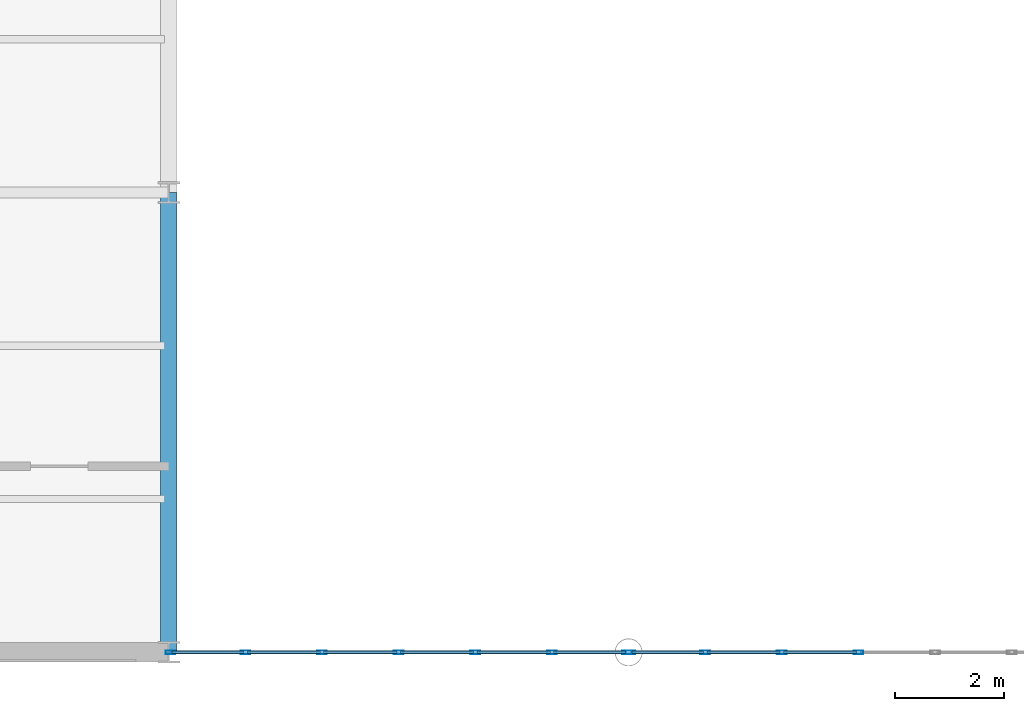
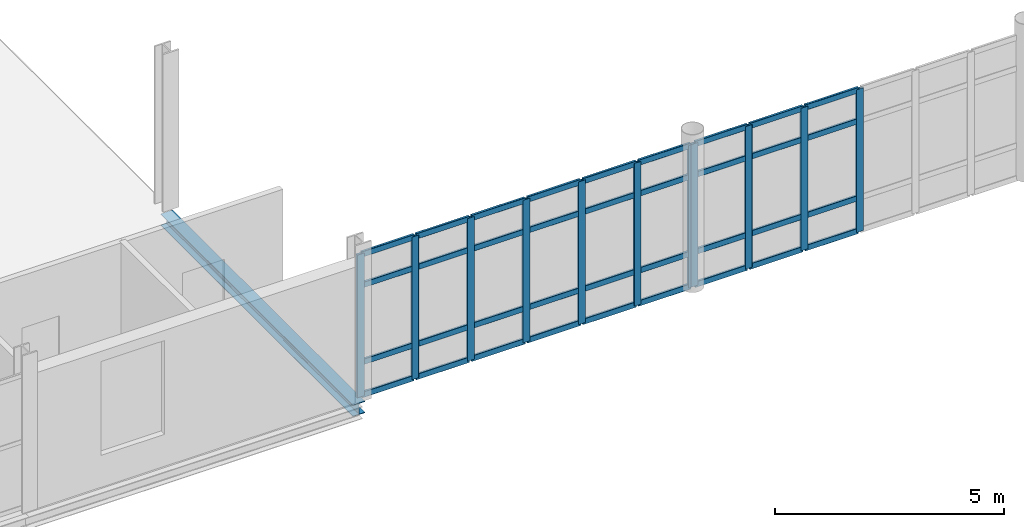
# One storey, part 36 of 163: 47 members, 1 beam, 2 elements without a shape of their own.
"""IFC4 building model written with IfcOpenShell, lengths in metres."""

from ifc_helpers import new_model, si_unit, direction, frame, origin, origin_2d, place, context, subcontext, project, spatial, hollow_rectangle, i_section, extrude, material, layer, layer_set, material_profile, profile_set, type_object, element, aggregate, save


model = new_model("IFC4")

# Units and contexts
model_context = context("Model", 3, precision=1e-05, world=origin(), true_north=direction((0.0, 1.0)))
body_context = subcontext(model_context, "Body", "Model", "MODEL_VIEW")
ifc_project = project(units=[si_unit("LENGTHUNIT", "METRE"), si_unit("AREAUNIT", "SQUARE_METRE"), si_unit("VOLUMEUNIT", "CUBIC_METRE"), si_unit("PLANEANGLEUNIT", "RADIAN"), si_unit("MASSUNIT", "GRAM", prefix="KILO")], contexts=[model_context])

# Site, building, storey
site_placement = place(None, origin())
site = spatial("IfcSite", under=ifc_project, at=site_placement, CompositionType="ELEMENT")
building_placement = place(site_placement, origin())
building = spatial("IfcBuilding", under=site, at=building_placement, Name="Qalvenar Corner Mobility Hub", CompositionType="ELEMENT")
storey_placement = place(building_placement, frame((0.0, 0.0, 4.800048828125)))
storey = spatial("IfcBuildingStorey", under=building, at=storey_placement, Name="L01", CompositionType="ELEMENT", Elevation=4.800048828125)

# Beam
ifc_material_1 = material(Name="Steel S355", Category="steel")
ifc_material_profile_1 = material_profile(ifc_material_1, i_section(OverallWidth=0.300048828125, OverallDepth=0.31005859375, WebThickness=0.009033203125, FlangeThickness=0.015380859375, FilletRadius=0.027099609375, at=origin_2d()), Name="HEA320")
ifc_profile_set_1 = profile_set([ifc_material_profile_1], Name="Steel S355")
beam_type = type_object("IfcBeamType", Name="BM-SPN320", PredefinedType="SPANDREL", material=ifc_profile_set_1)
beam_placement = place(storey_placement, frame((50.39990234375, 0.0, -0.3349609375), z_axis=(0.0, 1.0, 0.0), x_axis=(-1.0, 0.0, 0.0)))
element("IfcBeam", 1, at=beam_placement, inside=storey, type_object=beam_type, Name="Primary Steel Girder GY-0881", PredefinedType="SPANDREL", context=body_context, shape_type="SweptSolid", body=[
    extrude(i_section(OverallWidth=0.300048828125, OverallDepth=0.31005859375, WebThickness=0.009033203125, FlangeThickness=0.015380859375, FilletRadius=0.027099609375, at=origin_2d()), origin(), (0.0, 0.0, 1.0), 8.39990234375),
])

# Curtain wall, members
ifc_material_2 = material(Name="Anodised Aluminium and Low-E Glazing", Category="aluminium")
ifc_layer = layer(ifc_material_2, 0.179931640625)
ifc_layer_set = layer_set([ifc_layer], Name="Anodised Aluminium and Low-E Glazing")
curtain_wall_type = type_object("IfcCurtainWallType", Name="CW-CONC-84X42", PredefinedType="NOTDEFINED", material=ifc_layer_set)
curtain_wall_1_placement = place(storey_placement, origin())
curtain_wall_1 = element("IfcCurtainWall", 2, at=curtain_wall_1_placement, inside=storey, type_object=curtain_wall_type, Name="Glazed Curtain Wall CW-V1-L01-S0", PredefinedType="NOTDEFINED")
ifc_material_3 = material(Name="Anodised Aluminium 6063-T6", Category="aluminium")
ifc_material_profile_2 = material_profile(ifc_material_3, hollow_rectangle(XDim=0.06494140625, YDim=0.179931640625, WallThickness=0.00390625, InnerFilletRadius=0.00390625, OuterFilletRadius=0.008056640625, at=origin_2d()), Name="RHS180x65x4")
ifc_profile_set_2 = profile_set([ifc_material_profile_2], Name="Anodised Aluminium 6063-T6")
member_type_1 = type_object("IfcMemberType", Name="CW-MUL180", PredefinedType="MULLION", material=ifc_profile_set_2)
member_1_placement = place(storey_placement, frame((50.429931640625, 0.0, 0.0), z_axis=(0.0, 0.0, 1.0), x_axis=(0.0, 1.0, 0.0)))
member_1 = element("IfcMember", 3, at=member_1_placement, type_object=member_type_1, Name="CW-02 mullion 1", PredefinedType="MULLION", context=body_context, shape_type="SweptSolid", body=[
    extrude(hollow_rectangle(XDim=0.06494140625, YDim=0.179931640625, WallThickness=0.00390625, InnerFilletRadius=0.00390625, OuterFilletRadius=0.008056640625, at=origin_2d()), origin(), (0.0, 0.0, 1.0), 3.800048828125),
])
member_2_placement = place(storey_placement, frame((51.800048828125, 0.0, 0.0), z_axis=(0.0, 0.0, 1.0), x_axis=(0.0, 1.0, 0.0)))
member_2 = element("IfcMember", 4, at=member_2_placement, type_object=member_type_1, Name="CW-02 mullion 2", PredefinedType="MULLION", context=body_context, shape_type="SweptSolid", body=[
    extrude(hollow_rectangle(XDim=0.06494140625, YDim=0.179931640625, WallThickness=0.00390625, InnerFilletRadius=0.00390625, OuterFilletRadius=0.008056640625, at=origin_2d()), origin(), (0.0, 0.0, 1.0), 3.800048828125),
])
member_3_placement = place(storey_placement, frame((53.199951171875, 0.0, 0.0), z_axis=(0.0, 0.0, 1.0), x_axis=(0.0, 1.0, 0.0)))
member_3 = element("IfcMember", 5, at=member_3_placement, type_object=member_type_1, Name="CW-02 mullion 3", PredefinedType="MULLION", context=body_context, shape_type="SweptSolid", body=[
    extrude(hollow_rectangle(XDim=0.06494140625, YDim=0.179931640625, WallThickness=0.00390625, InnerFilletRadius=0.00390625, OuterFilletRadius=0.008056640625, at=origin_2d()), origin(), (0.0, 0.0, 1.0), 3.800048828125),
])
member_4_placement = place(storey_placement, frame((54.60009765625, 0.0, 0.0), z_axis=(0.0, 0.0, 1.0), x_axis=(0.0, 1.0, 0.0)))
member_4 = element("IfcMember", 6, at=member_4_placement, type_object=member_type_1, Name="CW-02 mullion 4", PredefinedType="MULLION", context=body_context, shape_type="SweptSolid", body=[
    extrude(hollow_rectangle(XDim=0.06494140625, YDim=0.179931640625, WallThickness=0.00390625, InnerFilletRadius=0.00390625, OuterFilletRadius=0.008056640625, at=origin_2d()), origin(), (0.0, 0.0, 1.0), 3.800048828125),
])
member_5_placement = place(storey_placement, frame((56.0, 0.0, 0.0), z_axis=(0.0, 0.0, 1.0), x_axis=(0.0, 1.0, 0.0)))
member_5 = element("IfcMember", 7, at=member_5_placement, type_object=member_type_1, Name="CW-02 mullion 5", PredefinedType="MULLION", context=body_context, shape_type="SweptSolid", body=[
    extrude(hollow_rectangle(XDim=0.06494140625, YDim=0.179931640625, WallThickness=0.00390625, InnerFilletRadius=0.00390625, OuterFilletRadius=0.008056640625, at=origin_2d()), origin(), (0.0, 0.0, 1.0), 3.800048828125),
])
member_6_placement = place(storey_placement, frame((57.39990234375, 0.0, 0.0), z_axis=(0.0, 0.0, 1.0), x_axis=(0.0, 1.0, 0.0)))
member_6 = element("IfcMember", 8, at=member_6_placement, type_object=member_type_1, Name="CW-02 mullion 6", PredefinedType="MULLION", context=body_context, shape_type="SweptSolid", body=[
    extrude(hollow_rectangle(XDim=0.06494140625, YDim=0.179931640625, WallThickness=0.00390625, InnerFilletRadius=0.00390625, OuterFilletRadius=0.008056640625, at=origin_2d()), origin(), (0.0, 0.0, 1.0), 3.800048828125),
])
member_7_placement = place(storey_placement, frame((58.77001953125, 0.0, 0.0), z_axis=(0.0, 0.0, 1.0), x_axis=(0.0, 1.0, 0.0)))
member_7 = element("IfcMember", 9, at=member_7_placement, type_object=member_type_1, Name="CW-02 mullion 7", PredefinedType="MULLION", context=body_context, shape_type="SweptSolid", body=[
    extrude(hollow_rectangle(XDim=0.06494140625, YDim=0.179931640625, WallThickness=0.00390625, InnerFilletRadius=0.00390625, OuterFilletRadius=0.008056640625, at=origin_2d()), origin(), (0.0, 0.0, 1.0), 3.800048828125),
])

curtain_wall_2_placement = place(storey_placement, origin())
curtain_wall_2 = element("IfcCurtainWall", 10, at=curtain_wall_2_placement, inside=storey, type_object=curtain_wall_type, Name="Glazed Curtain Wall CW-V1-L01-S1", PredefinedType="NOTDEFINED")
member_8_placement = place(storey_placement, frame((58.830078125, 0.0, 0.0), z_axis=(0.0, 0.0, 1.0), x_axis=(0.0, 1.0, 0.0)))
member_8 = element("IfcMember", 11, at=member_8_placement, type_object=member_type_1, Name="CW-02 mullion 1", PredefinedType="MULLION", context=body_context, shape_type="SweptSolid", body=[
    extrude(hollow_rectangle(XDim=0.06494140625, YDim=0.179931640625, WallThickness=0.00390625, InnerFilletRadius=0.00390625, OuterFilletRadius=0.008056640625, at=origin_2d()), origin(), (0.0, 0.0, 1.0), 3.800048828125),
])
member_9_placement = place(storey_placement, frame((60.199951171875, 0.0, 0.0), z_axis=(0.0, 0.0, 1.0), x_axis=(0.0, 1.0, 0.0)))
member_9 = element("IfcMember", 12, at=member_9_placement, type_object=member_type_1, Name="CW-02 mullion 2", PredefinedType="MULLION", context=body_context, shape_type="SweptSolid", body=[
    extrude(hollow_rectangle(XDim=0.06494140625, YDim=0.179931640625, WallThickness=0.00390625, InnerFilletRadius=0.00390625, OuterFilletRadius=0.008056640625, at=origin_2d()), origin(), (0.0, 0.0, 1.0), 3.800048828125),
])
member_10_placement = place(storey_placement, frame((61.60009765625, 0.0, 0.0), z_axis=(0.0, 0.0, 1.0), x_axis=(0.0, 1.0, 0.0)))
member_10 = element("IfcMember", 13, at=member_10_placement, type_object=member_type_1, Name="CW-02 mullion 3", PredefinedType="MULLION", context=body_context, shape_type="SweptSolid", body=[
    extrude(hollow_rectangle(XDim=0.06494140625, YDim=0.179931640625, WallThickness=0.00390625, InnerFilletRadius=0.00390625, OuterFilletRadius=0.008056640625, at=origin_2d()), origin(), (0.0, 0.0, 1.0), 3.800048828125),
])
member_11_placement = place(storey_placement, frame((63.0, 0.0, 0.0), z_axis=(0.0, 0.0, 1.0), x_axis=(0.0, 1.0, 0.0)))
member_11 = element("IfcMember", 14, at=member_11_placement, type_object=member_type_1, Name="CW-02 mullion 4", PredefinedType="MULLION", context=body_context, shape_type="SweptSolid", body=[
    extrude(hollow_rectangle(XDim=0.06494140625, YDim=0.179931640625, WallThickness=0.00390625, InnerFilletRadius=0.00390625, OuterFilletRadius=0.008056640625, at=origin_2d()), origin(), (0.0, 0.0, 1.0), 3.800048828125),
])

# Member
ifc_material_profile_3 = material_profile(ifc_material_3, hollow_rectangle(XDim=0.06005859375, YDim=0.14990234375, WallThickness=0.00341796875, InnerFilletRadius=0.00341796875, OuterFilletRadius=0.007080078125, at=origin_2d()), Name="RHS150x60x3.5")
ifc_profile_set_3 = profile_set([ifc_material_profile_3], Name="Anodised Aluminium 6063-T6")
member_type_2 = type_object("IfcMemberType", Name="CW-TRN150", PredefinedType="USERDEFINED", material=ifc_profile_set_3)
member_12_placement = place(storey_placement, frame((50.4599609375, 0.0, 0.02734375), z_axis=(1.0, 0.0, 0.0), x_axis=(0.0, 1.0, 0.0)))
member_12 = element("IfcMember", 15, at=member_12_placement, type_object=member_type_2, Name="CW-02 transom 1.1", ObjectType="TRANSOM", PredefinedType="USERDEFINED", context=body_context, shape_type="SweptSolid", body=[
    extrude(hollow_rectangle(XDim=0.06005859375, YDim=0.14990234375, WallThickness=0.00341796875, InnerFilletRadius=0.00341796875, OuterFilletRadius=0.007080078125, at=origin_2d()), origin(), (0.0, 0.0, 1.0), 1.31005859375),
])

member_13_placement = place(storey_placement, frame((50.4599609375, 0.0, 0.89990234375), z_axis=(1.0, 0.0, 0.0), x_axis=(0.0, 1.0, 0.0)))
member_13 = element("IfcMember", 16, at=member_13_placement, type_object=member_type_2, Name="CW-02 transom 1.2", ObjectType="TRANSOM", PredefinedType="USERDEFINED", context=body_context, shape_type="SweptSolid", body=[
    extrude(hollow_rectangle(XDim=0.06005859375, YDim=0.14990234375, WallThickness=0.00341796875, InnerFilletRadius=0.00341796875, OuterFilletRadius=0.007080078125, at=origin_2d()), origin(), (0.0, 0.0, 1.0), 1.31005859375),
])

member_14_placement = place(storey_placement, frame((50.4599609375, 0.0, 2.949951171875), z_axis=(1.0, 0.0, 0.0), x_axis=(0.0, 1.0, 0.0)))
member_14 = element("IfcMember", 17, at=member_14_placement, type_object=member_type_2, Name="CW-02 transom 1.3", ObjectType="TRANSOM", PredefinedType="USERDEFINED", context=body_context, shape_type="SweptSolid", body=[
    extrude(hollow_rectangle(XDim=0.06005859375, YDim=0.14990234375, WallThickness=0.00341796875, InnerFilletRadius=0.00341796875, OuterFilletRadius=0.007080078125, at=origin_2d()), origin(), (0.0, 0.0, 1.0), 1.31005859375),
])

member_15_placement = place(storey_placement, frame((50.4599609375, 0.0, 3.7724609375), z_axis=(1.0, 0.0, 0.0), x_axis=(0.0, 1.0, 0.0)))
member_15 = element("IfcMember", 18, at=member_15_placement, type_object=member_type_2, Name="CW-02 transom 1.4", ObjectType="TRANSOM", PredefinedType="USERDEFINED", context=body_context, shape_type="SweptSolid", body=[
    extrude(hollow_rectangle(XDim=0.06005859375, YDim=0.14990234375, WallThickness=0.00341796875, InnerFilletRadius=0.00341796875, OuterFilletRadius=0.007080078125, at=origin_2d()), origin(), (0.0, 0.0, 1.0), 1.31005859375),
])

member_16_placement = place(storey_placement, frame((51.830078125, 0.0, 0.02734375), z_axis=(1.0, 0.0, 0.0), x_axis=(0.0, 1.0, 0.0)))
member_16 = element("IfcMember", 19, at=member_16_placement, type_object=member_type_2, Name="CW-02 transom 2.1", ObjectType="TRANSOM", PredefinedType="USERDEFINED", context=body_context, shape_type="SweptSolid", body=[
    extrude(hollow_rectangle(XDim=0.06005859375, YDim=0.14990234375, WallThickness=0.00341796875, InnerFilletRadius=0.00341796875, OuterFilletRadius=0.007080078125, at=origin_2d()), origin(), (0.0, 0.0, 1.0), 1.33984375),
])

member_17_placement = place(storey_placement, frame((51.830078125, 0.0, 0.89990234375), z_axis=(1.0, 0.0, 0.0), x_axis=(0.0, 1.0, 0.0)))
member_17 = element("IfcMember", 20, at=member_17_placement, type_object=member_type_2, Name="CW-02 transom 2.2", ObjectType="TRANSOM", PredefinedType="USERDEFINED", context=body_context, shape_type="SweptSolid", body=[
    extrude(hollow_rectangle(XDim=0.06005859375, YDim=0.14990234375, WallThickness=0.00341796875, InnerFilletRadius=0.00341796875, OuterFilletRadius=0.007080078125, at=origin_2d()), origin(), (0.0, 0.0, 1.0), 1.33984375),
])

member_18_placement = place(storey_placement, frame((51.830078125, 0.0, 2.949951171875), z_axis=(1.0, 0.0, 0.0), x_axis=(0.0, 1.0, 0.0)))
member_18 = element("IfcMember", 21, at=member_18_placement, type_object=member_type_2, Name="CW-02 transom 2.3", ObjectType="TRANSOM", PredefinedType="USERDEFINED", context=body_context, shape_type="SweptSolid", body=[
    extrude(hollow_rectangle(XDim=0.06005859375, YDim=0.14990234375, WallThickness=0.00341796875, InnerFilletRadius=0.00341796875, OuterFilletRadius=0.007080078125, at=origin_2d()), origin(), (0.0, 0.0, 1.0), 1.33984375),
])

member_19_placement = place(storey_placement, frame((51.830078125, 0.0, 3.7724609375), z_axis=(1.0, 0.0, 0.0), x_axis=(0.0, 1.0, 0.0)))
member_19 = element("IfcMember", 22, at=member_19_placement, type_object=member_type_2, Name="CW-02 transom 2.4", ObjectType="TRANSOM", PredefinedType="USERDEFINED", context=body_context, shape_type="SweptSolid", body=[
    extrude(hollow_rectangle(XDim=0.06005859375, YDim=0.14990234375, WallThickness=0.00341796875, InnerFilletRadius=0.00341796875, OuterFilletRadius=0.007080078125, at=origin_2d()), origin(), (0.0, 0.0, 1.0), 1.33984375),
])

member_20_placement = place(storey_placement, frame((53.22998046875, 0.0, 0.02734375), z_axis=(1.0, 0.0, 0.0), x_axis=(0.0, 1.0, 0.0)))
member_20 = element("IfcMember", 23, at=member_20_placement, type_object=member_type_2, Name="CW-02 transom 3.1", ObjectType="TRANSOM", PredefinedType="USERDEFINED", context=body_context, shape_type="SweptSolid", body=[
    extrude(hollow_rectangle(XDim=0.06005859375, YDim=0.14990234375, WallThickness=0.00341796875, InnerFilletRadius=0.00341796875, OuterFilletRadius=0.007080078125, at=origin_2d()), origin(), (0.0, 0.0, 1.0), 1.340087890625),
])

member_21_placement = place(storey_placement, frame((53.22998046875, 0.0, 0.89990234375), z_axis=(1.0, 0.0, 0.0), x_axis=(0.0, 1.0, 0.0)))
member_21 = element("IfcMember", 24, at=member_21_placement, type_object=member_type_2, Name="CW-02 transom 3.2", ObjectType="TRANSOM", PredefinedType="USERDEFINED", context=body_context, shape_type="SweptSolid", body=[
    extrude(hollow_rectangle(XDim=0.06005859375, YDim=0.14990234375, WallThickness=0.00341796875, InnerFilletRadius=0.00341796875, OuterFilletRadius=0.007080078125, at=origin_2d()), origin(), (0.0, 0.0, 1.0), 1.340087890625),
])

member_22_placement = place(storey_placement, frame((53.22998046875, 0.0, 2.949951171875), z_axis=(1.0, 0.0, 0.0), x_axis=(0.0, 1.0, 0.0)))
member_22 = element("IfcMember", 25, at=member_22_placement, type_object=member_type_2, Name="CW-02 transom 3.3", ObjectType="TRANSOM", PredefinedType="USERDEFINED", context=body_context, shape_type="SweptSolid", body=[
    extrude(hollow_rectangle(XDim=0.06005859375, YDim=0.14990234375, WallThickness=0.00341796875, InnerFilletRadius=0.00341796875, OuterFilletRadius=0.007080078125, at=origin_2d()), origin(), (0.0, 0.0, 1.0), 1.340087890625),
])

member_23_placement = place(storey_placement, frame((53.22998046875, 0.0, 3.7724609375), z_axis=(1.0, 0.0, 0.0), x_axis=(0.0, 1.0, 0.0)))
member_23 = element("IfcMember", 26, at=member_23_placement, type_object=member_type_2, Name="CW-02 transom 3.4", ObjectType="TRANSOM", PredefinedType="USERDEFINED", context=body_context, shape_type="SweptSolid", body=[
    extrude(hollow_rectangle(XDim=0.06005859375, YDim=0.14990234375, WallThickness=0.00341796875, InnerFilletRadius=0.00341796875, OuterFilletRadius=0.007080078125, at=origin_2d()), origin(), (0.0, 0.0, 1.0), 1.340087890625),
])

member_24_placement = place(storey_placement, frame((54.6298828125, 0.0, 0.02734375), z_axis=(1.0, 0.0, 0.0), x_axis=(0.0, 1.0, 0.0)))
member_24 = element("IfcMember", 27, at=member_24_placement, type_object=member_type_2, Name="CW-02 transom 4.1", ObjectType="TRANSOM", PredefinedType="USERDEFINED", context=body_context, shape_type="SweptSolid", body=[
    extrude(hollow_rectangle(XDim=0.06005859375, YDim=0.14990234375, WallThickness=0.00341796875, InnerFilletRadius=0.00341796875, OuterFilletRadius=0.007080078125, at=origin_2d()), origin(), (0.0, 0.0, 1.0), 1.340087890625),
])

member_25_placement = place(storey_placement, frame((54.6298828125, 0.0, 0.89990234375), z_axis=(1.0, 0.0, 0.0), x_axis=(0.0, 1.0, 0.0)))
member_25 = element("IfcMember", 28, at=member_25_placement, type_object=member_type_2, Name="CW-02 transom 4.2", ObjectType="TRANSOM", PredefinedType="USERDEFINED", context=body_context, shape_type="SweptSolid", body=[
    extrude(hollow_rectangle(XDim=0.06005859375, YDim=0.14990234375, WallThickness=0.00341796875, InnerFilletRadius=0.00341796875, OuterFilletRadius=0.007080078125, at=origin_2d()), origin(), (0.0, 0.0, 1.0), 1.340087890625),
])

member_26_placement = place(storey_placement, frame((54.6298828125, 0.0, 2.949951171875), z_axis=(1.0, 0.0, 0.0), x_axis=(0.0, 1.0, 0.0)))
member_26 = element("IfcMember", 29, at=member_26_placement, type_object=member_type_2, Name="CW-02 transom 4.3", ObjectType="TRANSOM", PredefinedType="USERDEFINED", context=body_context, shape_type="SweptSolid", body=[
    extrude(hollow_rectangle(XDim=0.06005859375, YDim=0.14990234375, WallThickness=0.00341796875, InnerFilletRadius=0.00341796875, OuterFilletRadius=0.007080078125, at=origin_2d()), origin(), (0.0, 0.0, 1.0), 1.340087890625),
])

member_27_placement = place(storey_placement, frame((54.6298828125, 0.0, 3.7724609375), z_axis=(1.0, 0.0, 0.0), x_axis=(0.0, 1.0, 0.0)))
member_27 = element("IfcMember", 30, at=member_27_placement, type_object=member_type_2, Name="CW-02 transom 4.4", ObjectType="TRANSOM", PredefinedType="USERDEFINED", context=body_context, shape_type="SweptSolid", body=[
    extrude(hollow_rectangle(XDim=0.06005859375, YDim=0.14990234375, WallThickness=0.00341796875, InnerFilletRadius=0.00341796875, OuterFilletRadius=0.007080078125, at=origin_2d()), origin(), (0.0, 0.0, 1.0), 1.340087890625),
])

member_28_placement = place(storey_placement, frame((56.030029296875, 0.0, 0.02734375), z_axis=(1.0, 0.0, 0.0), x_axis=(0.0, 1.0, 0.0)))
member_28 = element("IfcMember", 31, at=member_28_placement, type_object=member_type_2, Name="CW-02 transom 5.1", ObjectType="TRANSOM", PredefinedType="USERDEFINED", context=body_context, shape_type="SweptSolid", body=[
    extrude(hollow_rectangle(XDim=0.06005859375, YDim=0.14990234375, WallThickness=0.00341796875, InnerFilletRadius=0.00341796875, OuterFilletRadius=0.007080078125, at=origin_2d()), origin(), (0.0, 0.0, 1.0), 1.340087890625),
])

member_29_placement = place(storey_placement, frame((56.030029296875, 0.0, 0.89990234375), z_axis=(1.0, 0.0, 0.0), x_axis=(0.0, 1.0, 0.0)))
member_29 = element("IfcMember", 32, at=member_29_placement, type_object=member_type_2, Name="CW-02 transom 5.2", ObjectType="TRANSOM", PredefinedType="USERDEFINED", context=body_context, shape_type="SweptSolid", body=[
    extrude(hollow_rectangle(XDim=0.06005859375, YDim=0.14990234375, WallThickness=0.00341796875, InnerFilletRadius=0.00341796875, OuterFilletRadius=0.007080078125, at=origin_2d()), origin(), (0.0, 0.0, 1.0), 1.340087890625),
])

member_30_placement = place(storey_placement, frame((56.030029296875, 0.0, 2.949951171875), z_axis=(1.0, 0.0, 0.0), x_axis=(0.0, 1.0, 0.0)))
member_30 = element("IfcMember", 33, at=member_30_placement, type_object=member_type_2, Name="CW-02 transom 5.3", ObjectType="TRANSOM", PredefinedType="USERDEFINED", context=body_context, shape_type="SweptSolid", body=[
    extrude(hollow_rectangle(XDim=0.06005859375, YDim=0.14990234375, WallThickness=0.00341796875, InnerFilletRadius=0.00341796875, OuterFilletRadius=0.007080078125, at=origin_2d()), origin(), (0.0, 0.0, 1.0), 1.340087890625),
])

member_31_placement = place(storey_placement, frame((56.030029296875, 0.0, 3.7724609375), z_axis=(1.0, 0.0, 0.0), x_axis=(0.0, 1.0, 0.0)))
member_31 = element("IfcMember", 34, at=member_31_placement, type_object=member_type_2, Name="CW-02 transom 5.4", ObjectType="TRANSOM", PredefinedType="USERDEFINED", context=body_context, shape_type="SweptSolid", body=[
    extrude(hollow_rectangle(XDim=0.06005859375, YDim=0.14990234375, WallThickness=0.00341796875, InnerFilletRadius=0.00341796875, OuterFilletRadius=0.007080078125, at=origin_2d()), origin(), (0.0, 0.0, 1.0), 1.340087890625),
])

member_32_placement = place(storey_placement, frame((57.429931640625, 0.0, 0.02734375), z_axis=(1.0, 0.0, 0.0), x_axis=(0.0, 1.0, 0.0)))
member_32 = element("IfcMember", 35, at=member_32_placement, type_object=member_type_2, Name="CW-02 transom 6.1", ObjectType="TRANSOM", PredefinedType="USERDEFINED", context=body_context, shape_type="SweptSolid", body=[
    extrude(hollow_rectangle(XDim=0.06005859375, YDim=0.14990234375, WallThickness=0.00341796875, InnerFilletRadius=0.00341796875, OuterFilletRadius=0.007080078125, at=origin_2d()), origin(), (0.0, 0.0, 1.0), 1.31005859375),
])

member_33_placement = place(storey_placement, frame((57.429931640625, 0.0, 0.89990234375), z_axis=(1.0, 0.0, 0.0), x_axis=(0.0, 1.0, 0.0)))
member_33 = element("IfcMember", 36, at=member_33_placement, type_object=member_type_2, Name="CW-02 transom 6.2", ObjectType="TRANSOM", PredefinedType="USERDEFINED", context=body_context, shape_type="SweptSolid", body=[
    extrude(hollow_rectangle(XDim=0.06005859375, YDim=0.14990234375, WallThickness=0.00341796875, InnerFilletRadius=0.00341796875, OuterFilletRadius=0.007080078125, at=origin_2d()), origin(), (0.0, 0.0, 1.0), 1.31005859375),
])

member_34_placement = place(storey_placement, frame((57.429931640625, 0.0, 2.949951171875), z_axis=(1.0, 0.0, 0.0), x_axis=(0.0, 1.0, 0.0)))
member_34 = element("IfcMember", 37, at=member_34_placement, type_object=member_type_2, Name="CW-02 transom 6.3", ObjectType="TRANSOM", PredefinedType="USERDEFINED", context=body_context, shape_type="SweptSolid", body=[
    extrude(hollow_rectangle(XDim=0.06005859375, YDim=0.14990234375, WallThickness=0.00341796875, InnerFilletRadius=0.00341796875, OuterFilletRadius=0.007080078125, at=origin_2d()), origin(), (0.0, 0.0, 1.0), 1.31005859375),
])

member_35_placement = place(storey_placement, frame((57.429931640625, 0.0, 3.7724609375), z_axis=(1.0, 0.0, 0.0), x_axis=(0.0, 1.0, 0.0)))
member_35 = element("IfcMember", 38, at=member_35_placement, type_object=member_type_2, Name="CW-02 transom 6.4", ObjectType="TRANSOM", PredefinedType="USERDEFINED", context=body_context, shape_type="SweptSolid", body=[
    extrude(hollow_rectangle(XDim=0.06005859375, YDim=0.14990234375, WallThickness=0.00341796875, InnerFilletRadius=0.00341796875, OuterFilletRadius=0.007080078125, at=origin_2d()), origin(), (0.0, 0.0, 1.0), 1.31005859375),
])

aggregate(curtain_wall_1, [member_1, member_2, member_3, member_4, member_5, member_6, member_7, member_12, member_13, member_14, member_15, member_16, member_17, member_18, member_19, member_20, member_21, member_22, member_23, member_24, member_25, member_26, member_27, member_28, member_29, member_30, member_31, member_32, member_33, member_34, member_35])

member_36_placement = place(storey_placement, frame((58.860107421875, 0.0, 0.02734375), z_axis=(1.0, 0.0, 0.0), x_axis=(0.0, 1.0, 0.0)))
member_36 = element("IfcMember", 39, at=member_36_placement, type_object=member_type_2, Name="CW-02 transom 1.1", ObjectType="TRANSOM", PredefinedType="USERDEFINED", context=body_context, shape_type="SweptSolid", body=[
    extrude(hollow_rectangle(XDim=0.06005859375, YDim=0.14990234375, WallThickness=0.00341796875, InnerFilletRadius=0.00341796875, OuterFilletRadius=0.007080078125, at=origin_2d()), origin(), (0.0, 0.0, 1.0), 1.309814453125),
])

member_37_placement = place(storey_placement, frame((58.860107421875, 0.0, 0.89990234375), z_axis=(1.0, 0.0, 0.0), x_axis=(0.0, 1.0, 0.0)))
member_37 = element("IfcMember", 40, at=member_37_placement, type_object=member_type_2, Name="CW-02 transom 1.2", ObjectType="TRANSOM", PredefinedType="USERDEFINED", context=body_context, shape_type="SweptSolid", body=[
    extrude(hollow_rectangle(XDim=0.06005859375, YDim=0.14990234375, WallThickness=0.00341796875, InnerFilletRadius=0.00341796875, OuterFilletRadius=0.007080078125, at=origin_2d()), origin(), (0.0, 0.0, 1.0), 1.309814453125),
])

member_38_placement = place(storey_placement, frame((58.860107421875, 0.0, 2.949951171875), z_axis=(1.0, 0.0, 0.0), x_axis=(0.0, 1.0, 0.0)))
member_38 = element("IfcMember", 41, at=member_38_placement, type_object=member_type_2, Name="CW-02 transom 1.3", ObjectType="TRANSOM", PredefinedType="USERDEFINED", context=body_context, shape_type="SweptSolid", body=[
    extrude(hollow_rectangle(XDim=0.06005859375, YDim=0.14990234375, WallThickness=0.00341796875, InnerFilletRadius=0.00341796875, OuterFilletRadius=0.007080078125, at=origin_2d()), origin(), (0.0, 0.0, 1.0), 1.309814453125),
])

member_39_placement = place(storey_placement, frame((58.860107421875, 0.0, 3.7724609375), z_axis=(1.0, 0.0, 0.0), x_axis=(0.0, 1.0, 0.0)))
member_39 = element("IfcMember", 42, at=member_39_placement, type_object=member_type_2, Name="CW-02 transom 1.4", ObjectType="TRANSOM", PredefinedType="USERDEFINED", context=body_context, shape_type="SweptSolid", body=[
    extrude(hollow_rectangle(XDim=0.06005859375, YDim=0.14990234375, WallThickness=0.00341796875, InnerFilletRadius=0.00341796875, OuterFilletRadius=0.007080078125, at=origin_2d()), origin(), (0.0, 0.0, 1.0), 1.309814453125),
])

member_40_placement = place(storey_placement, frame((60.22998046875, 0.0, 0.02734375), z_axis=(1.0, 0.0, 0.0), x_axis=(0.0, 1.0, 0.0)))
member_40 = element("IfcMember", 43, at=member_40_placement, type_object=member_type_2, Name="CW-02 transom 2.1", ObjectType="TRANSOM", PredefinedType="USERDEFINED", context=body_context, shape_type="SweptSolid", body=[
    extrude(hollow_rectangle(XDim=0.06005859375, YDim=0.14990234375, WallThickness=0.00341796875, InnerFilletRadius=0.00341796875, OuterFilletRadius=0.007080078125, at=origin_2d()), origin(), (0.0, 0.0, 1.0), 1.340087890625),
])

member_41_placement = place(storey_placement, frame((60.22998046875, 0.0, 0.89990234375), z_axis=(1.0, 0.0, 0.0), x_axis=(0.0, 1.0, 0.0)))
member_41 = element("IfcMember", 44, at=member_41_placement, type_object=member_type_2, Name="CW-02 transom 2.2", ObjectType="TRANSOM", PredefinedType="USERDEFINED", context=body_context, shape_type="SweptSolid", body=[
    extrude(hollow_rectangle(XDim=0.06005859375, YDim=0.14990234375, WallThickness=0.00341796875, InnerFilletRadius=0.00341796875, OuterFilletRadius=0.007080078125, at=origin_2d()), origin(), (0.0, 0.0, 1.0), 1.340087890625),
])

member_42_placement = place(storey_placement, frame((60.22998046875, 0.0, 2.949951171875), z_axis=(1.0, 0.0, 0.0), x_axis=(0.0, 1.0, 0.0)))
member_42 = element("IfcMember", 45, at=member_42_placement, type_object=member_type_2, Name="CW-02 transom 2.3", ObjectType="TRANSOM", PredefinedType="USERDEFINED", context=body_context, shape_type="SweptSolid", body=[
    extrude(hollow_rectangle(XDim=0.06005859375, YDim=0.14990234375, WallThickness=0.00341796875, InnerFilletRadius=0.00341796875, OuterFilletRadius=0.007080078125, at=origin_2d()), origin(), (0.0, 0.0, 1.0), 1.340087890625),
])

member_43_placement = place(storey_placement, frame((60.22998046875, 0.0, 3.7724609375), z_axis=(1.0, 0.0, 0.0), x_axis=(0.0, 1.0, 0.0)))
member_43 = element("IfcMember", 46, at=member_43_placement, type_object=member_type_2, Name="CW-02 transom 2.4", ObjectType="TRANSOM", PredefinedType="USERDEFINED", context=body_context, shape_type="SweptSolid", body=[
    extrude(hollow_rectangle(XDim=0.06005859375, YDim=0.14990234375, WallThickness=0.00341796875, InnerFilletRadius=0.00341796875, OuterFilletRadius=0.007080078125, at=origin_2d()), origin(), (0.0, 0.0, 1.0), 1.340087890625),
])

member_44_placement = place(storey_placement, frame((61.6298828125, 0.0, 0.02734375), z_axis=(1.0, 0.0, 0.0), x_axis=(0.0, 1.0, 0.0)))
member_44 = element("IfcMember", 47, at=member_44_placement, type_object=member_type_2, Name="CW-02 transom 3.1", ObjectType="TRANSOM", PredefinedType="USERDEFINED", context=body_context, shape_type="SweptSolid", body=[
    extrude(hollow_rectangle(XDim=0.06005859375, YDim=0.14990234375, WallThickness=0.00341796875, InnerFilletRadius=0.00341796875, OuterFilletRadius=0.007080078125, at=origin_2d()), origin(), (0.0, 0.0, 1.0), 1.340087890625),
])

member_45_placement = place(storey_placement, frame((61.6298828125, 0.0, 0.89990234375), z_axis=(1.0, 0.0, 0.0), x_axis=(0.0, 1.0, 0.0)))
member_45 = element("IfcMember", 48, at=member_45_placement, type_object=member_type_2, Name="CW-02 transom 3.2", ObjectType="TRANSOM", PredefinedType="USERDEFINED", context=body_context, shape_type="SweptSolid", body=[
    extrude(hollow_rectangle(XDim=0.06005859375, YDim=0.14990234375, WallThickness=0.00341796875, InnerFilletRadius=0.00341796875, OuterFilletRadius=0.007080078125, at=origin_2d()), origin(), (0.0, 0.0, 1.0), 1.340087890625),
])

member_46_placement = place(storey_placement, frame((61.6298828125, 0.0, 2.949951171875), z_axis=(1.0, 0.0, 0.0), x_axis=(0.0, 1.0, 0.0)))
member_46 = element("IfcMember", 49, at=member_46_placement, type_object=member_type_2, Name="CW-02 transom 3.3", ObjectType="TRANSOM", PredefinedType="USERDEFINED", context=body_context, shape_type="SweptSolid", body=[
    extrude(hollow_rectangle(XDim=0.06005859375, YDim=0.14990234375, WallThickness=0.00341796875, InnerFilletRadius=0.00341796875, OuterFilletRadius=0.007080078125, at=origin_2d()), origin(), (0.0, 0.0, 1.0), 1.340087890625),
])

member_47_placement = place(storey_placement, frame((61.6298828125, 0.0, 3.7724609375), z_axis=(1.0, 0.0, 0.0), x_axis=(0.0, 1.0, 0.0)))
member_47 = element("IfcMember", 50, at=member_47_placement, type_object=member_type_2, Name="CW-02 transom 3.4", ObjectType="TRANSOM", PredefinedType="USERDEFINED", context=body_context, shape_type="SweptSolid", body=[
    extrude(hollow_rectangle(XDim=0.06005859375, YDim=0.14990234375, WallThickness=0.00341796875, InnerFilletRadius=0.00341796875, OuterFilletRadius=0.007080078125, at=origin_2d()), origin(), (0.0, 0.0, 1.0), 1.340087890625),
])

aggregate(curtain_wall_2, [member_8, member_9, member_10, member_11, member_36, member_37, member_38, member_39, member_40, member_41, member_42, member_43, member_44, member_45, member_46, member_47])

save(model, "model.ifc")
